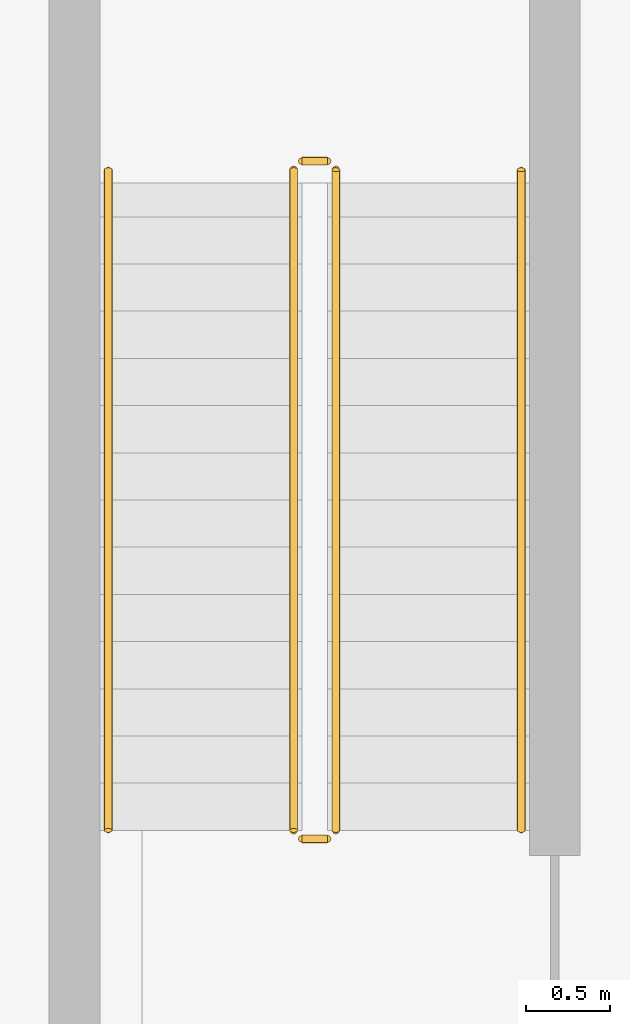
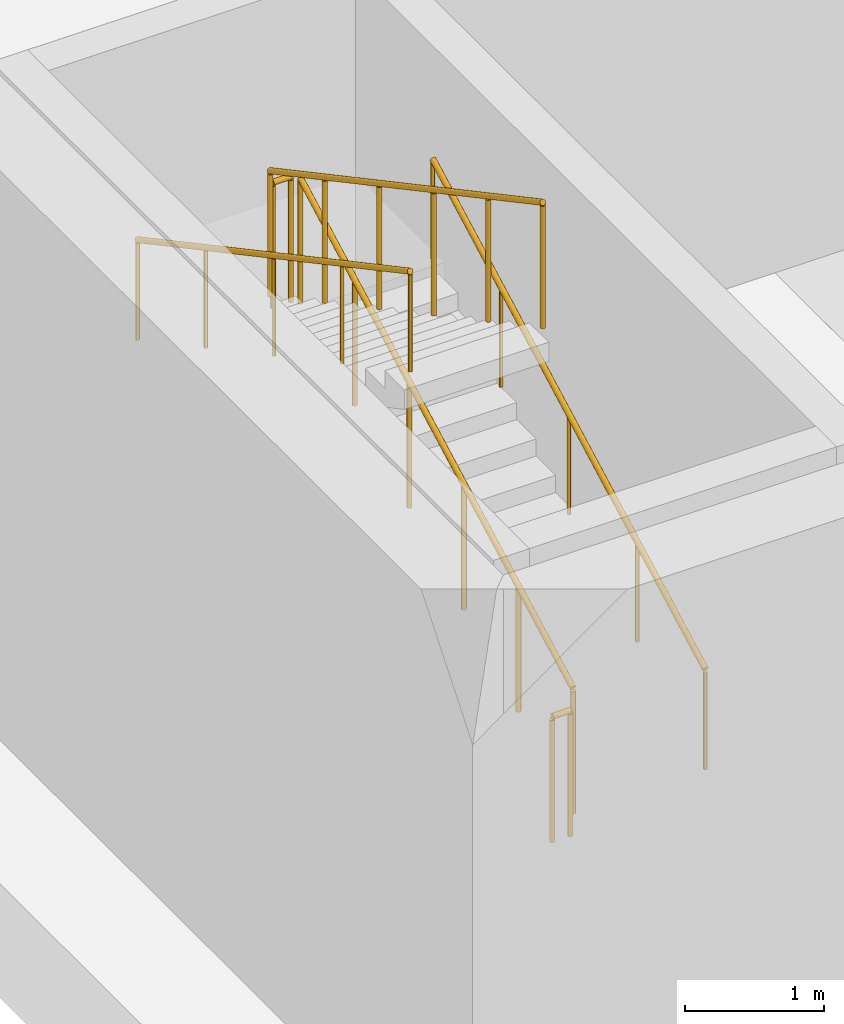
# One storey, part 16 of 23: 6 railings.
"""IFC4 building model written with IfcOpenShell, lengths in metres."""

from ifc_helpers import new_model, si_unit, direction, frame, origin, origin_2d, place, context, subcontext, project, spatial, circle, extrude, material, type_object, element, save


model = new_model("IFC4")

# Units and contexts
model_context = context("Model", 3, precision=1e-05, world=origin(), true_north=direction((0.0, 1.0)))
body_context = subcontext(model_context, "Body", "Model", "MODEL_VIEW")
ifc_project = project(units=[si_unit("LENGTHUNIT", "METRE"), si_unit("AREAUNIT", "SQUARE_METRE"), si_unit("VOLUMEUNIT", "CUBIC_METRE"), si_unit("PLANEANGLEUNIT", "RADIAN"), si_unit("MASSUNIT", "GRAM", prefix="KILO")], contexts=[model_context])

# Site, building, storey
site_placement = place(None, origin())
site = spatial("IfcSite", under=ifc_project, at=site_placement, CompositionType="ELEMENT")
building_placement = place(site_placement, origin())
building = spatial("IfcBuilding", under=site, at=building_placement, Name="Trine Commons Tower", CompositionType="ELEMENT")
storey_placement = place(building_placement, frame((0.0, 0.0, -9.0)))
storey = spatial("IfcBuildingStorey", under=building, at=storey_placement, Name="B2", CompositionType="ELEMENT", Elevation=-9.0)

# Railings
ifc_material = material(Name="Structural steel ASTM A500 Gr C", Category="steel")
railing_type_1 = type_object("IfcRailingType", Name="Steel guard 1120 mm, ASTM A500 Gr C", PredefinedType="GUARDRAIL", material=ifc_material)
railing_1_placement = place(storey_placement, frame((23.85009765625, 23.64990234375, 0.14990234375)))
element("IfcRailing", 1, at=railing_1_placement, inside=storey, type_object=railing_type_1, Name="B2 STB1 stair guard 1", PredefinedType="GUARDRAIL", context=body_context, shape_type="SweptSolid", body=[
    extrude(circle(Radius=0.02392578125, at=origin_2d()), frame((0.0, 0.0, 1.09619140625), z_axis=(0.0, 0.881479153919, 0.472222935917), x_axis=(-1.0, 0.0, 0.0)), (0.0, 0.0, 1.0), 4.447265625),
    extrude(circle(Radius=0.02099609375, at=origin_2d()), origin(), (0.0, 0.0, 1.0), 1.072021484375),
    extrude(circle(Radius=0.02099609375, at=origin_2d()), frame((0.0, 0.783935546875, 0.419921875)), (0.0, 0.0, 1.0), 1.072021484375),
    extrude(circle(Radius=0.02099609375, at=origin_2d()), frame((0.0, 1.568115234375, 0.840087890625)), (0.0, 0.0, 1.0), 1.072021484375),
    extrude(circle(Radius=0.02099609375, at=origin_2d()), frame((0.0, 2.35205078125, 1.260009765625)), (0.0, 0.0, 1.0), 1.072021484375),
    extrude(circle(Radius=0.02099609375, at=origin_2d()), frame((0.0, 3.13623046875, 1.68017578125)), (0.0, 0.0, 1.0), 1.072021484375),
    extrude(circle(Radius=0.02099609375, at=origin_2d()), frame((0.0, 3.920166015625, 2.10009765625)), (0.0, 0.0, 1.0), 1.072021484375),
])
railing_2_placement = place(storey_placement, frame((23.800048828125, 27.6201171875, 2.25)))
element("IfcRailing", 2, at=railing_2_placement, inside=storey, type_object=railing_type_1, Name="B2 STB1 stair guard 2", PredefinedType="GUARDRAIL", context=body_context, shape_type="SweptSolid", body=[
    extrude(circle(Radius=0.02392578125, at=origin_2d()), frame((0.0, 0.0, 1.09619140625), z_axis=(-1.0, 0.0, 0.0), x_axis=(0.0, -1.0, 0.0)), (0.0, 0.0, 1.0), 0.150146484375),
    extrude(circle(Radius=0.02099609375, at=origin_2d()), origin(), (0.0, 0.0, 1.0), 1.072021484375),
    extrude(circle(Radius=0.02099609375, at=origin_2d()), frame((-0.150146484375, 0.0, 0.0)), (0.0, 0.0, 1.0), 1.072021484375),
])
railing_3_placement = place(storey_placement, frame((23.60009765625, 27.570068359375, 2.39990234375)))
element("IfcRailing", 3, at=railing_3_placement, inside=storey, type_object=railing_type_1, Name="B2 STB1 stair guard 3", PredefinedType="GUARDRAIL", context=body_context, shape_type="SweptSolid", body=[
    extrude(circle(Radius=0.02392578125, at=origin_2d()), frame((0.0, 0.0, 1.09619140625), z_axis=(0.0, -0.881479153919, 0.472222935917), x_axis=(1.0, 0.0, 0.0)), (0.0, 0.0, 1.0), 4.447265625),
    extrude(circle(Radius=0.02099609375, at=origin_2d()), origin(), (0.0, 0.0, 1.0), 1.072021484375),
    extrude(circle(Radius=0.02099609375, at=origin_2d()), frame((0.0, -0.783935546875, 0.419921875)), (0.0, 0.0, 1.0), 1.072021484375),
    extrude(circle(Radius=0.02099609375, at=origin_2d()), frame((0.0, -1.568115234375, 0.840087890625)), (0.0, 0.0, 1.0), 1.072021484375),
    extrude(circle(Radius=0.02099609375, at=origin_2d()), frame((0.0, -2.35205078125, 1.260009765625)), (0.0, 0.0, 1.0), 1.072021484375),
    extrude(circle(Radius=0.02099609375, at=origin_2d()), frame((0.0, -3.13623046875, 1.68017578125)), (0.0, 0.0, 1.0), 1.072021484375),
    extrude(circle(Radius=0.02099609375, at=origin_2d()), frame((0.0, -3.920166015625, 2.10009765625)), (0.0, 0.0, 1.0), 1.072021484375),
])
railing_4_placement = place(storey_placement, frame((23.800048828125, 23.60009765625, 0.0)))
element("IfcRailing", 4, at=railing_4_placement, inside=storey, type_object=railing_type_1, Name="B2 STB1 stair guard 4", PredefinedType="GUARDRAIL", context=body_context, shape_type="SweptSolid", body=[
    extrude(circle(Radius=0.02392578125, at=origin_2d()), frame((0.0, 0.0, 1.09619140625), z_axis=(-1.0, 0.0, 0.0), x_axis=(0.0, -1.0, 0.0)), (0.0, 0.0, 1.0), 0.150146484375),
    extrude(circle(Radius=0.02099609375, at=origin_2d()), origin(), (0.0, 0.0, 1.0), 1.072021484375),
    extrude(circle(Radius=0.02099609375, at=origin_2d()), frame((-0.150146484375, 0.0, 0.0)), (0.0, 0.0, 1.0), 1.072021484375),
])
railing_type_2 = type_object("IfcRailingType", Name="Steel handrail 900 mm, ASTM A500 Gr C", PredefinedType="HANDRAIL", material=ifc_material)
railing_5_placement = place(storey_placement, frame((24.949951171875, 23.64990234375, 0.14990234375)))
element("IfcRailing", 5, at=railing_5_placement, inside=storey, type_object=railing_type_2, Name="B2 STB1 stair handrail 1", PredefinedType="HANDRAIL", context=body_context, shape_type="SweptSolid", body=[
    extrude(circle(Radius=0.02392578125, at=origin_2d()), frame((0.0, 0.0, 0.8759765625), z_axis=(0.0, 0.881479153919, 0.472222935917), x_axis=(-1.0, 0.0, 0.0)), (0.0, 0.0, 1.0), 4.447265625),
    extrude(circle(Radius=0.01513671875, at=origin_2d()), origin(), (0.0, 0.0, 1.0), 0.851806640625),
    extrude(circle(Radius=0.01513671875, at=origin_2d()), frame((0.0, 0.97998046875, 0.52490234375)), (0.0, 0.0, 1.0), 0.851806640625),
    extrude(circle(Radius=0.01513671875, at=origin_2d()), frame((0.0, 1.9599609375, 1.050048828125)), (0.0, 0.0, 1.0), 0.851806640625),
    extrude(circle(Radius=0.01513671875, at=origin_2d()), frame((0.0, 2.940185546875, 1.5751953125)), (0.0, 0.0, 1.0), 0.851806640625),
    extrude(circle(Radius=0.01513671875, at=origin_2d()), frame((0.0, 3.920166015625, 2.10009765625)), (0.0, 0.0, 1.0), 0.851806640625),
])
railing_6_placement = place(storey_placement, frame((22.5, 27.570068359375, 2.39990234375)))
element("IfcRailing", 6, at=railing_6_placement, inside=storey, type_object=railing_type_2, Name="B2 STB1 stair handrail 2", PredefinedType="HANDRAIL", context=body_context, shape_type="SweptSolid", body=[
    extrude(circle(Radius=0.02392578125, at=origin_2d()), frame((0.0, 0.0, 0.8759765625), z_axis=(0.0, -0.881479153919, 0.472222935917), x_axis=(1.0, 0.0, 0.0)), (0.0, 0.0, 1.0), 4.447265625),
    extrude(circle(Radius=0.01513671875, at=origin_2d()), origin(), (0.0, 0.0, 1.0), 0.851806640625),
    extrude(circle(Radius=0.01513671875, at=origin_2d()), frame((0.0, -0.97998046875, 0.52490234375)), (0.0, 0.0, 1.0), 0.851806640625),
    extrude(circle(Radius=0.01513671875, at=origin_2d()), frame((0.0, -1.9599609375, 1.050048828125)), (0.0, 0.0, 1.0), 0.851806640625),
    extrude(circle(Radius=0.01513671875, at=origin_2d()), frame((0.0, -2.940185546875, 1.5751953125)), (0.0, 0.0, 1.0), 0.851806640625),
    extrude(circle(Radius=0.01513671875, at=origin_2d()), frame((0.0, -3.920166015625, 2.10009765625)), (0.0, 0.0, 1.0), 0.851806640625),
])

save(model, "model.ifc")
